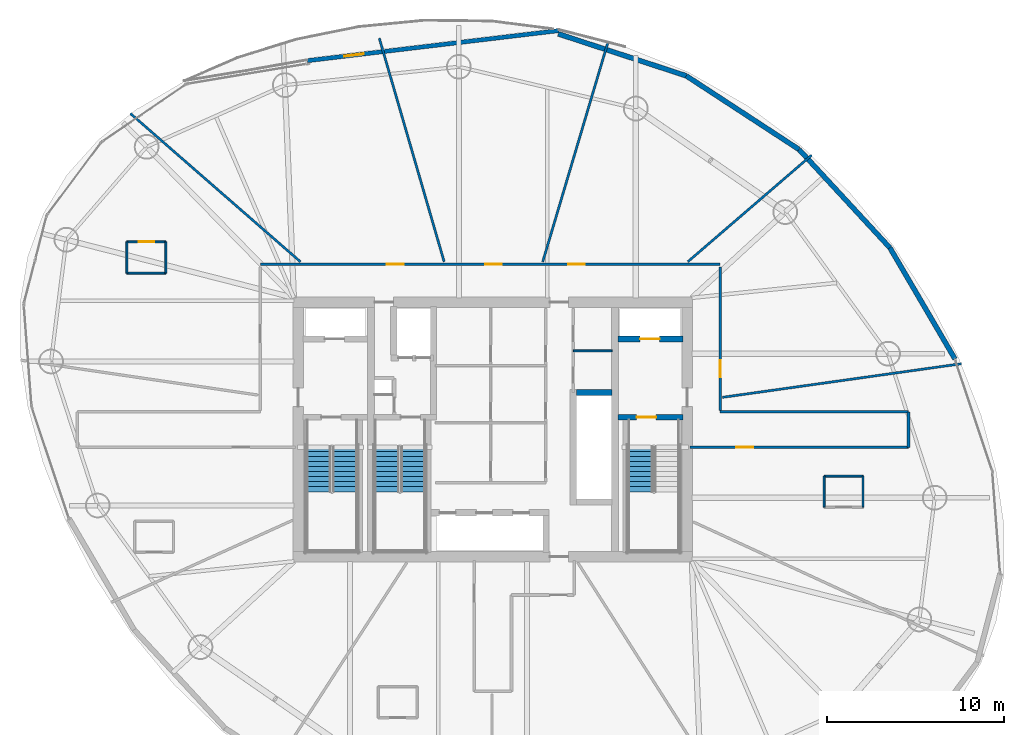
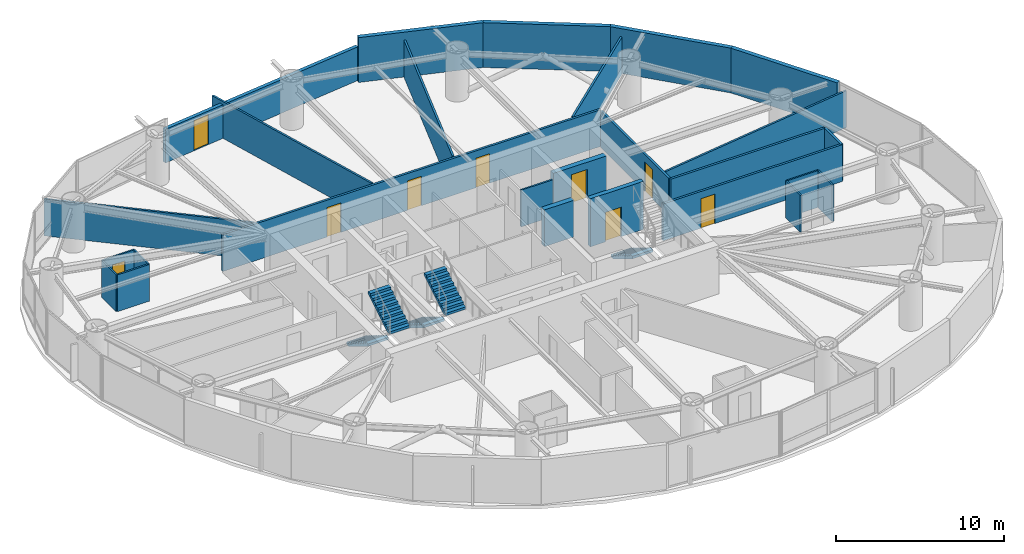
# One storey, part 19 of 22: 26 walls, 9 doors, 5 stair flights, 9 openings, 3 elements without a shape of their own.
"""IFC4 building model written with IfcOpenShell, lengths in metres."""

from ifc_helpers import new_model, si_unit, direction, frame, frame_2d, origin, place, context, subcontext, project, spatial, polyline, rectangle, outline, extrude, material, layer, layer_set, type_object, element, fill, aggregate, save


model = new_model("IFC4")

# Units and contexts
model_context = context("Model", 3, precision=1e-05, world=origin(), true_north=direction((0.0, 1.0)))
body_context = subcontext(model_context, "Body", "Model", "MODEL_VIEW")
ifc_project = project(units=[si_unit("LENGTHUNIT", "METRE"), si_unit("AREAUNIT", "SQUARE_METRE"), si_unit("VOLUMEUNIT", "CUBIC_METRE"), si_unit("PLANEANGLEUNIT", "RADIAN"), si_unit("MASSUNIT", "GRAM", prefix="KILO")], contexts=[model_context])

# Site, building, storey
site_placement = place(None, origin())
site = spatial("IfcSite", under=ifc_project, at=site_placement, CompositionType="ELEMENT")
building_placement = place(site_placement, origin())
building = spatial("IfcBuilding", under=site, at=building_placement, Name="Bramvorn Convention Spire", CompositionType="ELEMENT")
storey_placement = place(building_placement, frame((0.0, 0.0, 134.300048828125)))
storey = spatial("IfcBuildingStorey", under=building, at=storey_placement, Name="L33", CompositionType="ELEMENT", Elevation=134.300048828125)

# Wall, opening, door
ifc_material_1 = material(Name="Concrete C50/60", Category="concrete")
ifc_layer_1 = layer(ifc_material_1, 0.35009765625)
ifc_layer_set_1 = layer_set([ifc_layer_1], Name="Concrete C50/60 - WL-CORE-INT-350")
wall_type_1 = type_object("IfcWallType", Name="WL-CORE-INT-350", PredefinedType="SHEAR", material=ifc_layer_set_1)
wall_1_placement = place(storey_placement, frame((45.080078125, 31.1201171875, 0.0), z_axis=(0.0, 0.0, 1.0), x_axis=(1.0, 0.0, 0.0)))
wall_1 = element("IfcWall", 1, at=wall_1_placement, inside=storey, type_object=wall_type_1, Name="L33 FE2 shaft front wall", PredefinedType="SHEAR", context=body_context, shape_type="SweptSolid", body=[
    extrude(rectangle(XDim=3.669921875, YDim=0.35009765625, at=frame_2d((1.8349609375, 0.0))), origin(), (0.0, 0.0, 1.0), 2.675048828125),
])
opening_1_placement = place(wall_1_placement, frame((1.25, 0.0, 0.0)))
opening_1 = element("IfcOpeningElement", 2, at=opening_1_placement, cuts=wall_1, Name="Opening LD-110", PredefinedType="OPENING", context=body_context, shape_type="SweptSolid", body=[
    extrude(rectangle(XDim=1.10009765625, YDim=2.14990234375, at=frame_2d((0.550048828125, 1.074951171875))), frame((0.0, 0.18505859375, 0.0), z_axis=(0.0, -1.0, 0.0), x_axis=(1.0, 0.0, 0.0)), (0.0, 0.0, 1.0), 0.3701171875),
])
ifc_material_2 = material(Name="Firefighting & Service Lift Sliding Landing Door", Category="steel")
door_type_1 = type_object("IfcDoorType", Name="DR-LIFT-LD-1100", OperationType="NOTDEFINED", PredefinedType="DOOR", material=ifc_material_2)
door_1_placement = place(opening_1_placement, origin())
door_1 = element("IfcDoor", 3, at=door_1_placement, inside=storey, type_object=door_type_1, Name="L33 Lift FE2 Sliding Landing Door", OperationType="SLIDING_TO_LEFT", OverallHeight=2.14990234375, OverallWidth=1.10009765625, PredefinedType="DOOR", context=body_context, shape_type="SweptSolid", body=[
    extrude(rectangle(XDim=1.10009765625, YDim=2.14990234375, at=frame_2d((0.550048828125, 1.074951171875))), frame((0.0, 0.02490234375, 0.0), z_axis=(0.0, -1.0, 0.0), x_axis=(1.0, 0.0, 0.0)), (0.0, 0.0, 1.0), 0.050048828125),
])
fill(opening_1, door_1)

# Walls
wall_2_placement = place(storey_placement, frame((42.719970703125, 28.10009765625, 0.0), z_axis=(0.0, 0.0, 1.0), x_axis=(1.0, 0.0, 0.0)))
element("IfcWall", 4, at=wall_2_placement, inside=storey, type_object=wall_type_1, Name="L33 High-rise lift bank north wall", PredefinedType="SHEAR", context=body_context, shape_type="SweptSolid", body=[
    extrude(rectangle(XDim=2.030029296875, YDim=0.35009765625, at=frame_2d((1.01513671875, 0.0))), origin(), (0.0, 0.0, 1.0), 2.675048828125),
])
ifc_material_3 = material(Name="Precast Concrete C40/50 with Bronze Terracotta Rainscreen", Category="masonry")
ifc_layer_2 = layer(ifc_material_3, 0.300048828125)
ifc_layer_set_2 = layer_set([ifc_layer_2], Name="Precast Concrete C40/50 with Bronze Terracotta Rainscreen - WL-EXT-BRONZE-300")
wall_type_2 = type_object("IfcWallType", Name="WL-EXT-BRONZE-300", PredefinedType="SOLIDWALL", material=ifc_layer_set_2)
wall_3_placement = place(storey_placement, frame((60.452392578125, 36.280029296875, 0.0), z_axis=(0.0, 0.0, 1.0), x_axis=(0.504896965015, -0.863179619036, 0.0)))
element("IfcWall", 5, at=wall_3_placement, inside=storey, type_object=wall_type_2, Name="L33 expressed bronze Gothic lancet pier wall 04", PredefinedType="SOLIDWALL", context=body_context, shape_type="SweptSolid", body=[
    extrude(rectangle(XDim=7.291748046875, YDim=0.280029296875, at=frame_2d((3.64599609375, 0.0))), origin(), (0.0, 0.0, 1.0), 3.260009765625),
])
wall_4_placement = place(storey_placement, frame((55.314453125, 41.838134765625, 0.0), z_axis=(0.0, 0.0, 1.0), x_axis=(0.678806416745, -0.734317266981, 0.0)))
element("IfcWall", 6, at=wall_4_placement, inside=storey, type_object=wall_type_2, Name="L33 expressed bronze Gothic lancet pier wall 05", PredefinedType="SOLIDWALL", context=body_context, shape_type="SweptSolid", body=[
    extrude(rectangle(XDim=7.569091796875, YDim=0.280029296875, at=frame_2d((3.78466796875, 0.0))), origin(), (0.0, 0.0, 1.0), 3.260009765625),
])
wall_5_placement = place(storey_placement, frame((48.936767578125, 46.00341796875, 0.0), z_axis=(0.0, 0.0, 1.0), x_axis=(0.837254633375, -0.546813202925, 0.0)))
element("IfcWall", 7, at=wall_5_placement, inside=storey, type_object=wall_type_2, Name="L33 expressed bronze Gothic lancet pier wall 06", PredefinedType="SOLIDWALL", context=body_context, shape_type="SweptSolid", body=[
    extrude(rectangle(XDim=7.617431640625, YDim=0.280029296875, at=frame_2d((3.80859375, 0.0))), origin(), (0.0, 0.0, 1.0), 3.260009765625),
])
wall_6_placement = place(storey_placement, frame((41.6982421875, 48.376708984375, 0.0), z_axis=(0.0, 0.0, 1.0), x_axis=(0.950229385432, -0.311551143573, 0.0)))
element("IfcWall", 8, at=wall_6_placement, inside=storey, type_object=wall_type_2, Name="L33 expressed bronze Gothic lancet pier wall 07", PredefinedType="SOLIDWALL", context=body_context, shape_type="SweptSolid", body=[
    extrude(rectangle(XDim=7.61767578125, YDim=0.280029296875, at=frame_2d((3.808837890625, 0.0))), origin(), (0.0, 0.0, 1.0), 3.260009765625),
])

# Wall, opening, door
ifc_material_4 = material(Name="Precast Concrete C40/50 Insulated Terrace Wall", Category="concrete")
ifc_layer_3 = layer(ifc_material_4, 0.280029296875)
ifc_layer_set_3 = layer_set([ifc_layer_3], Name="Precast Concrete C40/50 Insulated Terrace Wall - WL-EXT-TERR-280")
wall_type_3 = type_object("IfcWallType", Name="WL-EXT-TERR-280", PredefinedType="SOLIDWALL", material=ifc_layer_set_3)
wall_7_placement = place(storey_placement, frame((27.50146484375, 46.861328125, 0.0), z_axis=(0.0, 0.0, 1.0), x_axis=(0.992918999128, 0.118793354907, 0.0)))
wall_7 = element("IfcWall", 9, at=wall_7_placement, inside=storey, type_object=wall_type_3, Name="L33 Sky Garden recessed terrace wall", PredefinedType="SOLIDWALL", context=body_context, shape_type="SweptSolid", body=[
    extrude(rectangle(XDim=14.3369140625, YDim=0.239990234375, at=frame_2d((7.16845703125, 0.0))), origin(), (0.0, 0.0, 1.0), 2.449951171875),
])
opening_2_placement = place(wall_7_placement, frame((2.117919921875, 0.0, 0.0)))
opening_2 = element("IfcOpeningElement", 10, at=opening_2_placement, cuts=wall_7, Name="Opening DE05", PredefinedType="OPENING", context=body_context, shape_type="SweptSolid", body=[
    extrude(rectangle(XDim=1.10009765625, YDim=2.199951171875, at=frame_2d((0.550048828125, 1.10009765625))), frame((0.0, 0.1298828125, 0.0), z_axis=(0.0, -1.0, 0.0), x_axis=(1.0, 0.0, 0.0)), (0.0, 0.0, 1.0), 0.260009765625),
])
ifc_material_5 = material(Name="Anodised Bronze Aluminium & Laminated Safety Glass", Category="aluminium")
door_type_2 = type_object("IfcDoorType", Name="DR-EXT-1100X2200", OperationType="NOTDEFINED", PredefinedType="DOOR", material=ifc_material_5)
door_2_placement = place(opening_2_placement, origin())
door_2 = element("IfcDoor", 11, at=door_2_placement, inside=storey, type_object=door_type_2, Name="L33 Sky Garden Lounge exterior terrace door", OperationType="SINGLE_SWING_LEFT", OverallHeight=2.199951171875, OverallWidth=1.10009765625, PredefinedType="DOOR", context=body_context, shape_type="SweptSolid", body=[
    extrude(rectangle(XDim=1.10009765625, YDim=2.199951171875, at=frame_2d((0.550048828125, 1.10009765625))), frame((0.0, 0.02490234375, 0.0), z_axis=(0.0, -1.0, 0.0), x_axis=(1.0, 0.0, 0.0)), (0.0, 0.0, 1.0), 0.050048828125),
])
fill(opening_2, door_2)

# Walls
ifc_material_6 = material(Name="Lightweight En-Suite & Wet-Wall Partition", Category="gypsum")
ifc_layer_4 = layer(ifc_material_6, 0.110107421875)
ifc_layer_set_4 = layer_set([ifc_layer_4], Name="Lightweight En-Suite & Wet-Wall Partition - WL-PART-110")
wall_type_4 = type_object("IfcWallType", Name="WL-PART-110", PredefinedType="PARTITIONING", material=ifc_layer_set_4)
for number, where, z_axis, x_axis, name in (
    (12, (42.550048828125, 30.449951171875, 0.0), (0.0, 0.0, 1.0), (1.0, 0.0, 0.0), "L33 KB NE divider"),
    (13, (17.308837890625, 34.852783203125, 0.0), (0.0, 0.0, 1.0), (1.0, 0.0, 0.0), "Hotel Suite 3305 en-suite south wall"),
):
    element("IfcWall", number, at=place(storey_placement, frame(where, z_axis=z_axis, x_axis=x_axis)), inside=storey, type_object=wall_type_4, Name=name, PredefinedType="PARTITIONING", context=body_context, shape_type="SweptSolid", body=[
        extrude(rectangle(XDim=2.199951171875, YDim=0.110107421875, at=frame_2d((1.10009765625, 0.0))), origin(), (0.0, 0.0, 1.0), 2.675048828125),
    ])

# Wall, opening, door
wall_8_placement = place(storey_placement, frame((17.308837890625, 36.61279296875, 0.0), z_axis=(0.0, 0.0, 1.0), x_axis=(1.0, 0.0, 0.0)))
wall_8 = element("IfcWall", 14, at=wall_8_placement, inside=storey, type_object=wall_type_4, Name="Hotel Suite 3305 en-suite north wall", PredefinedType="PARTITIONING", context=body_context, shape_type="SweptSolid", body=[
    extrude(rectangle(XDim=2.199951171875, YDim=0.110107421875, at=frame_2d((1.10009765625, 0.0))), origin(), (0.0, 0.0, 1.0), 2.675048828125),
])
opening_3_placement = place(wall_8_placement, frame((0.679931640625, 0.0, 0.0)))
opening_3 = element("IfcOpeningElement", 15, at=opening_3_placement, cuts=wall_8, Name="Opening DI-085", PredefinedType="OPENING", context=body_context, shape_type="SweptSolid", body=[
    extrude(rectangle(XDim=0.85009765625, YDim=2.10009765625, at=frame_2d((0.425048828125, 1.050048828125))), frame((0.0, 0.06494140625, 0.0), z_axis=(0.0, -1.0, 0.0), x_axis=(1.0, 0.0, 0.0)), (0.0, 0.0, 1.0), 0.130126953125),
])
ifc_material_7 = material(Name="En-Suite & Restroom Privacy Door", Category="wood")
door_type_3 = type_object("IfcDoorType", Name="DR-INT-850", OperationType="NOTDEFINED", PredefinedType="DOOR", material=ifc_material_7)
door_3_placement = place(opening_3_placement, origin())
door_3 = element("IfcDoor", 16, at=door_3_placement, inside=storey, type_object=door_type_3, Name="Hotel Suite 3305 En-Suite Bathroom door", OperationType="SINGLE_SWING_LEFT", OverallHeight=2.10009765625, OverallWidth=0.85009765625, PredefinedType="DOOR", context=body_context, shape_type="SweptSolid", body=[
    extrude(rectangle(XDim=0.85009765625, YDim=2.10009765625, at=frame_2d((0.425048828125, 1.050048828125))), frame((0.0, 0.02490234375, 0.0), z_axis=(0.0, -1.0, 0.0), x_axis=(1.0, 0.0, 0.0)), (0.0, 0.0, 1.0), 0.050048828125),
])
fill(opening_3, door_3)

# Walls
for number, where, z_axis, x_axis, name in (
    (17, (17.308837890625, 34.852783203125, 0.0), (0.0, 0.0, 1.0), (0.0, 1.0, 0.0), "Hotel Suite 3305 en-suite west wall"),
    (18, (19.5087890625, 34.852783203125, 0.0), (0.0, 0.0, 1.0), (0.0, 1.0, 0.0), "Hotel Suite 3305 en-suite east wall"),
):
    element("IfcWall", number, at=place(storey_placement, frame(where, z_axis=z_axis, x_axis=x_axis)), inside=storey, type_object=wall_type_4, Name=name, PredefinedType="PARTITIONING", context=body_context, shape_type="SweptSolid", body=[
        extrude(rectangle(XDim=1.760009765625, YDim=0.110107421875, at=frame_2d((0.8798828125, 0.0))), origin(), (0.0, 0.0, 1.0), 2.675048828125),
    ])
wall_9_placement = place(storey_placement, frame((56.73046875, 23.369873046875, 0.0), z_axis=(0.0, 0.0, 1.0), x_axis=(1.0, 0.0, 0.0)))
element("IfcWall", 19, at=wall_9_placement, inside=storey, type_object=wall_type_4, Name="Hotel Suite 3311 en-suite north wall", PredefinedType="PARTITIONING", context=body_context, shape_type="SweptSolid", body=[
    extrude(rectangle(XDim=2.199951171875, YDim=0.110107421875, at=frame_2d((1.10009765625, 0.0))), origin(), (0.0, 0.0, 1.0), 2.675048828125),
])
for number, where, z_axis, x_axis, name in (
    (20, (56.73046875, 21.60986328125, 0.0), (0.0, 0.0, 1.0), (0.0, 1.0, 0.0), "Hotel Suite 3311 en-suite west wall"),
    (21, (58.930419921875, 21.60986328125, 0.0), (0.0, 0.0, 1.0), (0.0, 1.0, 0.0), "Hotel Suite 3311 en-suite east wall"),
):
    element("IfcWall", number, at=place(storey_placement, frame(where, z_axis=z_axis, x_axis=x_axis)), inside=storey, type_object=wall_type_4, Name=name, PredefinedType="PARTITIONING", context=body_context, shape_type="SweptSolid", body=[
        extrude(rectangle(XDim=1.760009765625, YDim=0.110107421875, at=frame_2d((0.8798828125, 0.0))), origin(), (0.0, 0.0, 1.0), 2.675048828125),
    ])
ifc_material_8 = material(Name="Metal-Stud Demountable Office Partition", Category="gypsum")
ifc_layer_5 = layer(ifc_material_8, 0.1298828125)
ifc_layer_set_5 = layer_set([ifc_layer_5], Name="Metal-Stud Demountable Office Partition - WL-PART-130")
wall_type_5 = type_object("IfcWallType", Name="WL-PART-130", PredefinedType="PARTITIONING", material=ifc_layer_set_5)
wall_10_placement = place(storey_placement, frame((50.989990234375, 27.82568359375, 0.0), z_axis=(0.0, 0.0, 1.0), x_axis=(0.990267175979, 0.13917945315, 0.0)))
element("IfcWall", 22, at=wall_10_placement, inside=storey, type_object=wall_type_5, Name="L33 Guestroom demising wall 1", PredefinedType="PARTITIONING", context=body_context, shape_type="SweptSolid", body=[
    extrude(rectangle(XDim=13.647216796875, YDim=0.1298828125, at=frame_2d((6.82373046875, 0.0))), origin(), (0.0, 0.0, 1.0), 2.675048828125),
])
wall_11_placement = place(storey_placement, frame((49.0224609375, 35.489990234375, 0.0), z_axis=(0.0, 0.0, 1.0), x_axis=(0.757817057359, 0.652467093098, 0.0)))
element("IfcWall", 23, at=wall_11_placement, inside=storey, type_object=wall_type_5, Name="L33 Guestroom demising wall 2", PredefinedType="PARTITIONING", context=body_context, shape_type="SweptSolid", body=[
    extrude(rectangle(XDim=9.241943359375, YDim=0.1298828125, at=frame_2d((4.62109375, 0.0))), origin(), (0.0, 0.0, 1.0), 2.675048828125),
])
wall_12_placement = place(storey_placement, frame((40.8193359375, 35.489990234375, 0.0), z_axis=(0.0, 0.0, 1.0), x_axis=(0.284778226814, 0.958593428693, 0.0)))
element("IfcWall", 24, at=wall_12_placement, inside=storey, type_object=wall_type_5, Name="L33 Guestroom demising wall 3", PredefinedType="PARTITIONING", context=body_context, shape_type="SweptSolid", body=[
    extrude(rectangle(XDim=12.975341796875, YDim=0.1298828125, at=frame_2d((6.48779296875, 0.0))), origin(), (0.0, 0.0, 1.0), 2.675048828125),
])
wall_13_placement = place(storey_placement, frame((35.24609375, 35.489990234375, 0.0), z_axis=(0.0, 0.0, 1.0), x_axis=(-0.27866844054, 0.960387369892, 0.0)))
element("IfcWall", 25, at=wall_13_placement, inside=storey, type_object=wall_type_5, Name="L33 Guestroom demising wall 4", PredefinedType="PARTITIONING", context=body_context, shape_type="SweptSolid", body=[
    extrude(rectangle(XDim=13.168701171875, YDim=0.1298828125, at=frame_2d((6.58447265625, 0.0))), origin(), (0.0, 0.0, 1.0), 2.675048828125),
])
wall_14_placement = place(storey_placement, frame((27.117919921875, 35.489990234375, 0.0), z_axis=(0.0, 0.0, 1.0), x_axis=(-0.753667699891, 0.657255656606, 0.0)))
element("IfcWall", 26, at=wall_14_placement, inside=storey, type_object=wall_type_5, Name="L33 Guestroom demising wall 5", PredefinedType="PARTITIONING", context=body_context, shape_type="SweptSolid", body=[
    extrude(rectangle(XDim=12.755126953125, YDim=0.1298828125, at=frame_2d((6.37744140625, 0.0))), origin(), (0.0, 0.0, 1.0), 2.675048828125),
])

# Wall, openings, doors
ifc_material_9 = material(Name="Acoustic Metal-Stud Tenant/Corridor Partition", Category="gypsum")
ifc_layer_6 = layer(ifc_material_9, 0.14990234375)
ifc_layer_set_6 = layer_set([ifc_layer_6], Name="Acoustic Metal-Stud Tenant/Corridor Partition - WL-PART-150")
wall_type_6 = type_object("IfcWallType", Name="WL-PART-150", PredefinedType="PARTITIONING", material=ifc_layer_set_6)
wall_15_placement = place(storey_placement, frame((24.85009765625, 35.35009765625, 0.0), z_axis=(0.0, 0.0, 1.0), x_axis=(1.0, 0.0, 0.0)))
wall_15 = element("IfcWall", 27, at=wall_15_placement, inside=storey, type_object=wall_type_6, Name="L33 North gallery wall", PredefinedType="PARTITIONING", context=body_context, shape_type="SweptSolid", body=[
    extrude(rectangle(XDim=26.0, YDim=0.14990234375, at=frame_2d((13.0, 0.0))), origin(), (0.0, 0.0, 1.0), 2.675048828125),
])
opening_4_placement = place(wall_15_placement, frame((17.400146484375, 0.0, 0.0)))
opening_4 = element("IfcOpeningElement", 28, at=opening_4_placement, cuts=wall_15, Name="Opening DH-095", PredefinedType="OPENING", context=body_context, shape_type="SweptSolid", body=[
    extrude(rectangle(XDim=0.949951171875, YDim=2.14990234375, at=frame_2d((0.47509765625, 1.074951171875))), frame((0.0, 0.0849609375, 0.0), z_axis=(0.0, -1.0, 0.0), x_axis=(1.0, 0.0, 0.0)), (0.0, 0.0, 1.0), 0.169921875),
])
opening_5_placement = place(wall_15_placement, frame((12.70751953125, 0.0, 0.0)))
opening_5 = element("IfcOpeningElement", 29, at=opening_5_placement, cuts=wall_15, Name="Opening DH-095", PredefinedType="OPENING", context=body_context, shape_type="SweptSolid", body=[
    extrude(rectangle(XDim=0.949951171875, YDim=2.14990234375, at=frame_2d((0.47509765625, 1.074951171875))), frame((0.0, 0.0849609375, 0.0), z_axis=(0.0, -1.0, 0.0), x_axis=(1.0, 0.0, 0.0)), (0.0, 0.0, 1.0), 0.169921875),
])
opening_6_placement = place(wall_15_placement, frame((7.158447265625, 0.0, 0.0)))
opening_6 = element("IfcOpeningElement", 30, at=opening_6_placement, cuts=wall_15, Name="Opening DH-095", PredefinedType="OPENING", context=body_context, shape_type="SweptSolid", body=[
    extrude(rectangle(XDim=0.949951171875, YDim=2.14990234375, at=frame_2d((0.47509765625, 1.074951171875))), frame((0.0, 0.0849609375, 0.0), z_axis=(0.0, -1.0, 0.0), x_axis=(1.0, 0.0, 0.0)), (0.0, 0.0, 1.0), 0.169921875),
])
ifc_material_10 = material(Name="Solid-Core Acoustic Guestroom Entry Door", Category="wood")
door_type_4 = type_object("IfcDoorType", Name="DR-HOTEL-950", OperationType="NOTDEFINED", PredefinedType="DOOR", material=ifc_material_10)
door_4_placement = place(opening_4_placement, origin())
door_4 = element("IfcDoor", 31, at=door_4_placement, inside=storey, type_object=door_type_4, Name="L33 Hospitality Lounge 2 door", OperationType="SINGLE_SWING_RIGHT", OverallHeight=2.14990234375, OverallWidth=0.949951171875, PredefinedType="DOOR", context=body_context, shape_type="SweptSolid", body=[
    extrude(rectangle(XDim=0.949951171875, YDim=2.14990234375, at=frame_2d((0.47509765625, 1.074951171875))), frame((0.0, 0.02490234375, 0.0), z_axis=(0.0, -1.0, 0.0), x_axis=(1.0, 0.0, 0.0)), (0.0, 0.0, 1.0), 0.050048828125),
])
fill(opening_4, door_4)
door_5_placement = place(opening_5_placement, origin())
door_5 = element("IfcDoor", 32, at=door_5_placement, inside=storey, type_object=door_type_4, Name="L33 Sky Garden Lounge corridor door", OperationType="SINGLE_SWING_RIGHT", OverallHeight=2.14990234375, OverallWidth=0.949951171875, PredefinedType="DOOR", context=body_context, shape_type="SweptSolid", body=[
    extrude(rectangle(XDim=0.949951171875, YDim=2.14990234375, at=frame_2d((0.47509765625, 1.074951171875))), frame((0.0, 0.02490234375, 0.0), z_axis=(0.0, -1.0, 0.0), x_axis=(1.0, 0.0, 0.0)), (0.0, 0.0, 1.0), 0.050048828125),
])
fill(opening_5, door_5)
door_6_placement = place(opening_6_placement, origin())
door_6 = element("IfcDoor", 33, at=door_6_placement, inside=storey, type_object=door_type_4, Name="L33 Hospitality Lounge 3 door", OperationType="SINGLE_SWING_LEFT", OverallHeight=2.14990234375, OverallWidth=0.949951171875, PredefinedType="DOOR", context=body_context, shape_type="SweptSolid", body=[
    extrude(rectangle(XDim=0.949951171875, YDim=2.14990234375, at=frame_2d((0.47509765625, 1.074951171875))), frame((0.0, 0.02490234375, 0.0), z_axis=(0.0, -1.0, 0.0), x_axis=(1.0, 0.0, 0.0)), (0.0, 0.0, 1.0), 0.050048828125),
])
fill(opening_6, door_6)

# Wall, opening, door
wall_16_placement = place(storey_placement, frame((50.85009765625, 27.080078125, 0.0), z_axis=(0.0, 0.0, 1.0), x_axis=(0.0, 1.0, 0.0)))
wall_16 = element("IfcWall", 34, at=wall_16_placement, inside=storey, type_object=wall_type_6, Name="L33 NE gallery cheek", PredefinedType="PARTITIONING", context=body_context, shape_type="SweptSolid", body=[
    extrude(rectangle(XDim=8.119873046875, YDim=0.14990234375, at=frame_2d((4.06005859375, 0.0))), origin(), (0.0, 0.0, 1.0), 2.675048828125),
])
opening_7_placement = place(wall_16_placement, frame((1.889892578125, 0.0, 0.0)))
opening_7 = element("IfcOpeningElement", 35, at=opening_7_placement, cuts=wall_16, Name="Opening DH-095", PredefinedType="OPENING", context=body_context, shape_type="SweptSolid", body=[
    extrude(rectangle(XDim=0.949951171875, YDim=2.14990234375, at=frame_2d((0.47509765625, 1.074951171875))), frame((0.0, 0.0849609375, 0.0), z_axis=(0.0, -1.0, 0.0), x_axis=(1.0, 0.0, 0.0)), (0.0, 0.0, 1.0), 0.169921875),
])
door_7_placement = place(opening_7_placement, origin())
door_7 = element("IfcDoor", 36, at=door_7_placement, inside=storey, type_object=door_type_4, Name="L33 Hospitality Lounge 1 door", OperationType="SINGLE_SWING_RIGHT", OverallHeight=2.14990234375, OverallWidth=0.949951171875, PredefinedType="DOOR", context=body_context, shape_type="SweptSolid", body=[
    extrude(rectangle(XDim=0.949951171875, YDim=2.14990234375, at=frame_2d((0.47509765625, 1.074951171875))), frame((0.0, 0.02490234375, 0.0), z_axis=(0.0, -1.0, 0.0), x_axis=(1.0, 0.0, 0.0)), (0.0, 0.0, 1.0), 0.050048828125),
])
fill(opening_7, door_7)

# Wall
wall_17_placement = place(storey_placement, frame((50.85009765625, 27.0, 0.0), z_axis=(0.0, 0.0, 1.0), x_axis=(1.0, 0.0, 0.0)))
element("IfcWall", 37, at=wall_17_placement, inside=storey, type_object=wall_type_6, Name="L33 East wing spine north wall", PredefinedType="PARTITIONING", context=body_context, shape_type="SweptSolid", body=[
    extrude(rectangle(XDim=10.64990234375, YDim=0.14990234375, at=frame_2d((5.324951171875, 0.0))), origin(), (0.0, 0.0, 1.0), 2.675048828125),
])

# Wall, opening, door
wall_18_placement = place(storey_placement, frame((49.14990234375, 25.0, 0.0), z_axis=(0.0, 0.0, 1.0), x_axis=(1.0, 0.0, 0.0)))
wall_18 = element("IfcWall", 38, at=wall_18_placement, inside=storey, type_object=wall_type_6, Name="L33 East wing spine south wall", PredefinedType="PARTITIONING", context=body_context, shape_type="SweptSolid", body=[
    extrude(rectangle(XDim=12.35009765625, YDim=0.14990234375, at=frame_2d((6.175048828125, 0.0))), origin(), (0.0, 0.0, 1.0), 2.675048828125),
])
opening_8_placement = place(wall_18_placement, frame((2.612548828125, 0.0, 0.0)))
opening_8 = element("IfcOpeningElement", 39, at=opening_8_placement, cuts=wall_18, Name="Opening DH-095", PredefinedType="OPENING", context=body_context, shape_type="SweptSolid", body=[
    extrude(rectangle(XDim=0.949951171875, YDim=2.14990234375, at=frame_2d((0.47509765625, 1.074951171875))), frame((0.0, 0.0849609375, 0.0), z_axis=(0.0, -1.0, 0.0), x_axis=(1.0, 0.0, 0.0)), (0.0, 0.0, 1.0), 0.169921875),
])
door_8_placement = place(opening_8_placement, origin())
door_8 = element("IfcDoor", 40, at=door_8_placement, inside=storey, type_object=door_type_4, Name="Hotel Suite 3311 entry door", OperationType="SINGLE_SWING_RIGHT", OverallHeight=2.14990234375, OverallWidth=0.949951171875, PredefinedType="DOOR", context=body_context, shape_type="SweptSolid", body=[
    extrude(rectangle(XDim=0.949951171875, YDim=2.14990234375, at=frame_2d((0.47509765625, 1.074951171875))), frame((0.0, 0.02490234375, 0.0), z_axis=(0.0, -1.0, 0.0), x_axis=(1.0, 0.0, 0.0)), (0.0, 0.0, 1.0), 0.050048828125),
])
fill(opening_8, door_8)

# Wall
wall_19_placement = place(storey_placement, frame((61.5, 25.0, 0.0), z_axis=(0.0, 0.0, 1.0), x_axis=(0.0, 1.0, 0.0)))
element("IfcWall", 41, at=wall_19_placement, inside=storey, type_object=wall_type_6, Name="L33 East wing spine end wall", PredefinedType="PARTITIONING", context=body_context, shape_type="SweptSolid", body=[
    extrude(rectangle(XDim=2.0, YDim=0.14990234375, at=frame_2d((1.0, 0.0))), origin(), (0.0, 0.0, 1.0), 2.675048828125),
])

# Wall, opening, door
ifc_layer_7 = layer(ifc_material_1, 0.300048828125)
ifc_layer_set_7 = layer_set([ifc_layer_7], Name="Concrete C50/60 - WL-POD-STAIR-300")
wall_type_7 = type_object("IfcWallType", Name="WL-POD-STAIR-300", PredefinedType="SHEAR", material=ifc_layer_set_7)
wall_20_placement = place(storey_placement, frame((45.080078125, 26.68994140625, 0.0), z_axis=(0.0, 0.0, 1.0), x_axis=(1.0, 0.0, 0.0)))
wall_20 = element("IfcWall", 42, at=wall_20_placement, inside=storey, type_object=wall_type_7, Name="L33 ST2 north fire wall", PredefinedType="SHEAR", context=body_context, shape_type="SweptSolid", body=[
    extrude(rectangle(XDim=3.669921875, YDim=0.300048828125, at=frame_2d((1.8349609375, 0.0))), origin(), (0.0, 0.0, 1.0), 3.5),
])
opening_9_placement = place(wall_20_placement, frame((1.050048828125, 0.0, 0.0)))
opening_9 = element("IfcOpeningElement", 43, at=opening_9_placement, cuts=wall_20, Name="Opening DS-110", PredefinedType="OPENING", context=body_context, shape_type="SweptSolid", body=[
    extrude(rectangle(XDim=1.10009765625, YDim=2.14990234375, at=frame_2d((0.550048828125, 1.074951171875))), frame((0.0, 0.159912109375, 0.0), z_axis=(0.0, -1.0, 0.0), x_axis=(1.0, 0.0, 0.0)), (0.0, 0.0, 1.0), 0.320068359375),
])
ifc_material_11 = material(Name="Fire-Rated Hollow Steel Stairwell Door", Category="steel")
door_type_5 = type_object("IfcDoorType", Name="DR-STAIR-1100", OperationType="NOTDEFINED", PredefinedType="DOOR", material=ifc_material_11)
door_9_placement = place(opening_9_placement, origin())
door_9 = element("IfcDoor", 44, at=door_9_placement, inside=storey, type_object=door_type_5, Name="L33 Stair ST2 fire door", OperationType="SINGLE_SWING_RIGHT", OverallHeight=2.14990234375, OverallWidth=1.10009765625, PredefinedType="DOOR", context=body_context, shape_type="SweptSolid", body=[
    extrude(rectangle(XDim=1.10009765625, YDim=2.14990234375, at=frame_2d((0.550048828125, 1.074951171875))), frame((0.0, 0.02490234375, 0.0), z_axis=(0.0, -1.0, 0.0), x_axis=(1.0, 0.0, 0.0)), (0.0, 0.0, 1.0), 0.050048828125),
])
fill(opening_9, door_9)

# Stair, stair flights
ifc_material_12 = material(Name="Concrete C40/50 Precast Stair", Category="concrete")
stair_type = type_object("IfcStairType", Name="ST-TOWER-1550", PredefinedType="HALF_TURN_STAIR", material=ifc_material_12)
stair_1_placement = place(storey_placement, origin())
stair_1 = element("IfcStair", 45, at=stair_1_placement, inside=storey, type_object=stair_type, Name="L33 Protected Exit Stair ST1", PredefinedType="HALF_TURN_STAIR")
ifc_material_13 = material(Name="Concrete C40/50 Precast Stair Flight", Category="concrete")
stair_flight_type = type_object("IfcStairFlightType", Name="STF-TOWER-1550", PredefinedType="STRAIGHT", material=ifc_material_13)
stair_flight_1_placement = place(storey_placement, frame((28.155029296875, 25.050048828125, 0.0), z_axis=(0.0, 0.0, 1.0), x_axis=(0.0, -1.0, 0.0)))
stair_flight_1 = element("IfcStairFlight", 46, at=stair_flight_1_placement, type_object=stair_flight_type, Name="ST1 flight 1", NumberOfRisers=10, NumberOfTreads=9, PredefinedType="STRAIGHT", RiserHeight=0.175, TreadLength=0.285, context=body_context, shape_type="SweptSolid", body=[
    extrude(outline(polyline([(0.0, 0.0), (0.0, 0.175048828125), (0.284912109375, 0.175048828125), (0.284912109375, 0.35009765625), (0.570068359375, 0.35009765625), (0.570068359375, 0.52490234375), (0.85498046875, 0.52490234375), (0.85498046875, 0.699951171875), (1.139892578125, 0.699951171875), (1.139892578125, 0.875), (1.425048828125, 0.875), (1.425048828125, 1.050048828125), (1.7099609375, 1.050048828125), (1.7099609375, 1.22509765625), (1.9951171875, 1.22509765625), (1.9951171875, 1.39990234375), (2.280029296875, 1.39990234375), (2.280029296875, 1.574951171875), (2.56494140625, 1.574951171875), (2.56494140625, 1.75), (2.56494140625, 1.399169921875), (0.286376953125, 0.0), (0.0, 0.0)])), frame((0.0, 0.705078125, 0.0), z_axis=(0.0, -1.0, 0.0), x_axis=(1.0, 0.0, 0.0)), (0.0, 0.0, 1.0), 1.409912109375),
])
stair_flight_2_placement = place(storey_placement, frame((29.64501953125, 22.485107421875, 1.75), z_axis=(0.0, 0.0, 1.0), x_axis=(0.0, 1.0, 0.0)))
stair_flight_2 = element("IfcStairFlight", 47, at=stair_flight_2_placement, type_object=stair_flight_type, Name="ST1 flight 2", NumberOfRisers=10, NumberOfTreads=9, PredefinedType="STRAIGHT", RiserHeight=0.175, TreadLength=0.285, context=body_context, shape_type="SweptSolid", body=[
    extrude(outline(polyline([(0.0, 0.0), (0.0, 0.175048828125), (0.284912109375, 0.175048828125), (0.284912109375, 0.35009765625), (0.570068359375, 0.35009765625), (0.570068359375, 0.52490234375), (0.85498046875, 0.52490234375), (0.85498046875, 0.699951171875), (1.139892578125, 0.699951171875), (1.139892578125, 0.875), (1.425048828125, 0.875), (1.425048828125, 1.050048828125), (1.7099609375, 1.050048828125), (1.7099609375, 1.22509765625), (1.9951171875, 1.22509765625), (1.9951171875, 1.39990234375), (2.280029296875, 1.39990234375), (2.280029296875, 1.574951171875), (2.56494140625, 1.574951171875), (2.56494140625, 1.75), (2.56494140625, 1.399169921875), (0.286376953125, 0.0), (0.0, 0.0)])), frame((0.0, 0.705078125, 0.0), z_axis=(0.0, -1.0, 0.0), x_axis=(1.0, 0.0, 0.0)), (0.0, 0.0, 1.0), 1.409912109375),
])
aggregate(stair_1, [stair_flight_1, stair_flight_2])

# Stair, stair flight
stair_2_placement = place(storey_placement, origin())
stair_2 = element("IfcStair", 48, at=stair_2_placement, inside=storey, type_object=stair_type, Name="L33 Protected Exit Stair ST2", PredefinedType="HALF_TURN_STAIR")
stair_flight_3_placement = place(storey_placement, frame((46.35498046875, 25.050048828125, 0.0), z_axis=(0.0, 0.0, 1.0), x_axis=(0.0, -1.0, 0.0)))
stair_flight_3 = element("IfcStairFlight", 49, at=stair_flight_3_placement, type_object=stair_flight_type, Name="ST2 flight 1", NumberOfRisers=10, NumberOfTreads=9, PredefinedType="STRAIGHT", RiserHeight=0.175, TreadLength=0.285, context=body_context, shape_type="SweptSolid", body=[
    extrude(outline(polyline([(0.0, 0.0), (0.0, 0.175048828125), (0.284912109375, 0.175048828125), (0.284912109375, 0.35009765625), (0.570068359375, 0.35009765625), (0.570068359375, 0.52490234375), (0.85498046875, 0.52490234375), (0.85498046875, 0.699951171875), (1.139892578125, 0.699951171875), (1.139892578125, 0.875), (1.425048828125, 0.875), (1.425048828125, 1.050048828125), (1.7099609375, 1.050048828125), (1.7099609375, 1.22509765625), (1.9951171875, 1.22509765625), (1.9951171875, 1.39990234375), (2.280029296875, 1.39990234375), (2.280029296875, 1.574951171875), (2.56494140625, 1.574951171875), (2.56494140625, 1.75), (2.56494140625, 1.399169921875), (0.286376953125, 0.0), (0.0, 0.0)])), frame((0.0, 0.705078125, 0.0), z_axis=(0.0, -1.0, 0.0), x_axis=(1.0, 0.0, 0.0)), (0.0, 0.0, 1.0), 1.409912109375),
])
aggregate(stair_2, [stair_flight_3])

# Stair, stair flights
stair_3_placement = place(storey_placement, origin())
stair_3 = element("IfcStair", 50, at=stair_3_placement, inside=storey, type_object=stair_type, Name="L33 Protected Exit Stair ST3", PredefinedType="HALF_TURN_STAIR")
stair_flight_4_placement = place(storey_placement, frame((32.0048828125, 25.050048828125, 0.0), z_axis=(0.0, 0.0, 1.0), x_axis=(0.0, -1.0, 0.0)))
stair_flight_4 = element("IfcStairFlight", 51, at=stair_flight_4_placement, type_object=stair_flight_type, Name="ST3 flight 1", NumberOfRisers=10, NumberOfTreads=9, PredefinedType="STRAIGHT", RiserHeight=0.175, TreadLength=0.285, context=body_context, shape_type="SweptSolid", body=[
    extrude(outline(polyline([(0.0, 0.0), (0.0, 0.175048828125), (0.284912109375, 0.175048828125), (0.284912109375, 0.35009765625), (0.570068359375, 0.35009765625), (0.570068359375, 0.52490234375), (0.85498046875, 0.52490234375), (0.85498046875, 0.699951171875), (1.139892578125, 0.699951171875), (1.139892578125, 0.875), (1.425048828125, 0.875), (1.425048828125, 1.050048828125), (1.7099609375, 1.050048828125), (1.7099609375, 1.22509765625), (1.9951171875, 1.22509765625), (1.9951171875, 1.39990234375), (2.280029296875, 1.39990234375), (2.280029296875, 1.574951171875), (2.56494140625, 1.574951171875), (2.56494140625, 1.75), (2.56494140625, 1.399169921875), (0.286376953125, 0.0), (0.0, 0.0)])), frame((0.0, 0.705078125, 0.0), z_axis=(0.0, -1.0, 0.0), x_axis=(1.0, 0.0, 0.0)), (0.0, 0.0, 1.0), 1.409912109375),
])
stair_flight_5_placement = place(storey_placement, frame((33.4951171875, 22.485107421875, 1.75), z_axis=(0.0, 0.0, 1.0), x_axis=(0.0, 1.0, 0.0)))
stair_flight_5 = element("IfcStairFlight", 52, at=stair_flight_5_placement, type_object=stair_flight_type, Name="ST3 flight 2", NumberOfRisers=10, NumberOfTreads=9, PredefinedType="STRAIGHT", RiserHeight=0.175, TreadLength=0.285, context=body_context, shape_type="SweptSolid", body=[
    extrude(outline(polyline([(0.0, 0.0), (0.0, 0.175048828125), (0.284912109375, 0.175048828125), (0.284912109375, 0.35009765625), (0.570068359375, 0.35009765625), (0.570068359375, 0.52490234375), (0.85498046875, 0.52490234375), (0.85498046875, 0.699951171875), (1.139892578125, 0.699951171875), (1.139892578125, 0.875), (1.425048828125, 0.875), (1.425048828125, 1.050048828125), (1.7099609375, 1.050048828125), (1.7099609375, 1.22509765625), (1.9951171875, 1.22509765625), (1.9951171875, 1.39990234375), (2.280029296875, 1.39990234375), (2.280029296875, 1.574951171875), (2.56494140625, 1.574951171875), (2.56494140625, 1.75), (2.56494140625, 1.399169921875), (0.286376953125, 0.0), (0.0, 0.0)])), frame((0.0, 0.705078125, 0.0), z_axis=(0.0, -1.0, 0.0), x_axis=(1.0, 0.0, 0.0)), (0.0, 0.0, 1.0), 1.409912109375),
])
aggregate(stair_3, [stair_flight_4, stair_flight_5])

save(model, "model.ifc")
